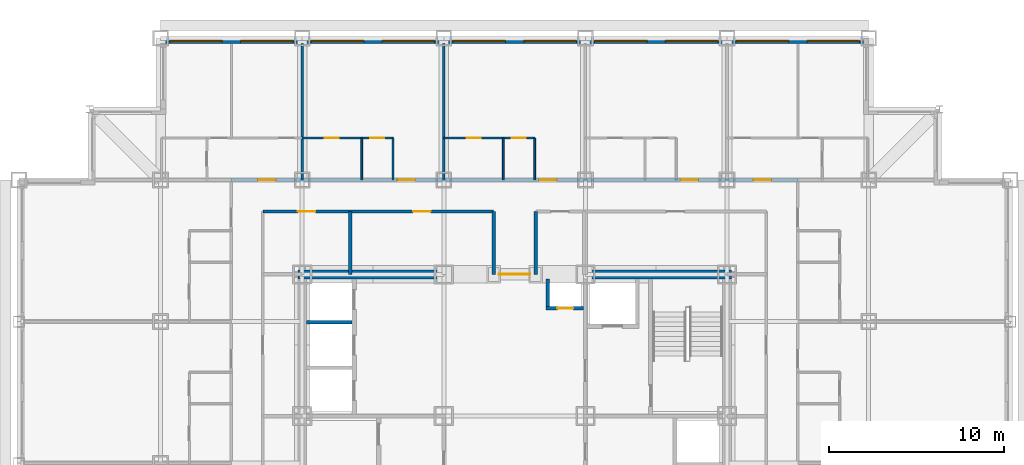
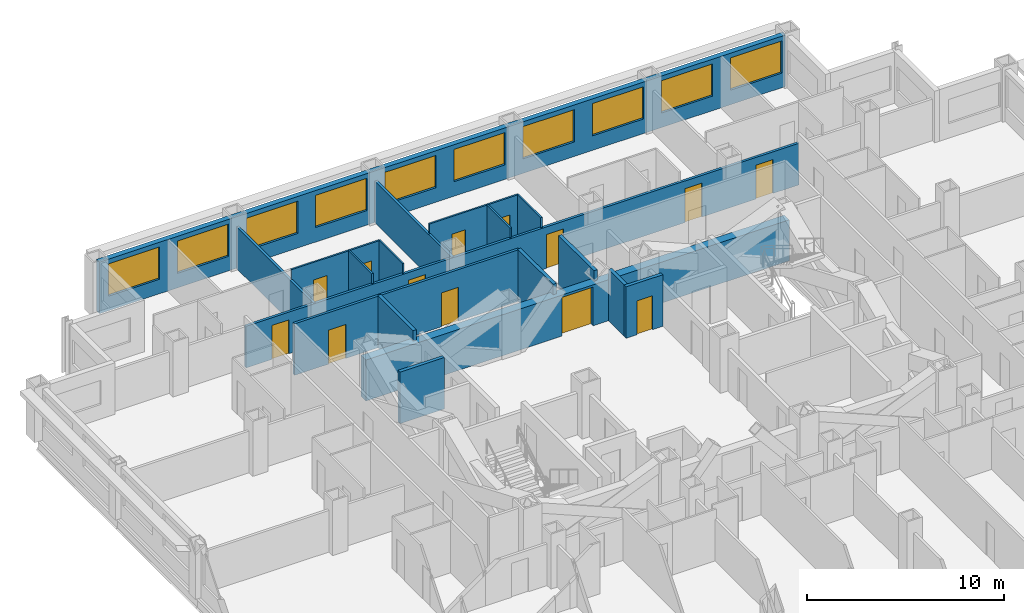
# One storey, part 9 of 12: 18 walls, 13 doors, 10 windows, 23 openings.
"""IFC4 building model written with IfcOpenShell, lengths in metres."""

from ifc_helpers import new_model, si_unit, direction, frame, frame_2d, origin, place, context, subcontext, project, spatial, rectangle, extrude, material, layer, layer_set, type_object, element, fill, save


model = new_model("IFC4")

# Units and contexts
model_context = context("Model", 3, precision=1e-05, world=origin(), true_north=direction((0.0, 1.0)))
body_context = subcontext(model_context, "Body", "Model", "MODEL_VIEW")
ifc_project = project(units=[si_unit("LENGTHUNIT", "METRE"), si_unit("AREAUNIT", "SQUARE_METRE"), si_unit("VOLUMEUNIT", "CUBIC_METRE"), si_unit("PLANEANGLEUNIT", "RADIAN"), si_unit("MASSUNIT", "GRAM", prefix="KILO")], contexts=[model_context])

# Site, building, storey
site_placement = place(None, origin())
site = spatial("IfcSite", under=ifc_project, at=site_placement, CompositionType="ELEMENT")
building_placement = place(site_placement, origin())
building = spatial("IfcBuilding", under=site, at=building_placement, Name="Kopane Lantern Tower", CompositionType="ELEMENT")
storey_placement = place(building_placement, frame((0.0, 0.0, 106.800048828125)))
storey = spatial("IfcBuildingStorey", under=building, at=storey_placement, Name="L26", CompositionType="ELEMENT", Elevation=106.800048828125)

# Wall, openings, doors
ifc_material_1 = material(Name="Moisture-resistant board on steel studs", Category="steel")
ifc_layer_1 = layer(ifc_material_1, 0.10009765625)
ifc_layer_set_1 = layer_set([ifc_layer_1], Name="BATHROOM WALL 100")
wall_type_1 = type_object("IfcWallType", Name="BATHROOM WALL 100", PredefinedType="PARTITIONING", material=ifc_layer_set_1)
wall_1_placement = place(storey_placement, frame((16.199951171875, 48.300048828125, 0.0), z_axis=(0.0, 0.0, 1.0), x_axis=(1.0, 0.0, 0.0)))
wall_1 = element("IfcWall", 1, at=wall_1_placement, inside=storey, type_object=wall_type_1, Name="Bathroom Wall 100 L26", PredefinedType="PARTITIONING", context=body_context, shape_type="SweptSolid", body=[
    extrude(rectangle(XDim=5.199951171875, YDim=0.10009765625, at=frame_2d((2.60009765625, 0.0))), origin(), (0.0, 0.0, 1.0), 3.18994140625),
])
opening_1_placement = place(wall_1_placement, frame((1.300048828125, 0.0, 0.0)))
opening_1 = element("IfcOpeningElement", 2, at=opening_1_placement, cuts=wall_1, Name="Opening L26-021", PredefinedType="OPENING", context=body_context, shape_type="SweptSolid", body=[
    extrude(rectangle(XDim=0.800048828125, YDim=2.10009765625, at=frame_2d((0.39990234375, 1.050048828125))), frame((0.0, 0.06005859375, 0.0), z_axis=(0.0, -1.0, 0.0), x_axis=(1.0, 0.0, 0.0)), (0.0, 0.0, 1.0), 0.1201171875),
])
opening_2_placement = place(wall_1_placement, frame((3.89990234375, 0.0, 0.0)))
opening_2 = element("IfcOpeningElement", 3, at=opening_2_placement, cuts=wall_1, Name="Opening L26-022", PredefinedType="OPENING", context=body_context, shape_type="SweptSolid", body=[
    extrude(rectangle(XDim=0.800048828125, YDim=2.10009765625, at=frame_2d((0.39990234375, 1.050048828125))), frame((0.0, 0.06005859375, 0.0), z_axis=(0.0, -1.0, 0.0), x_axis=(1.0, 0.0, 0.0)), (0.0, 0.0, 1.0), 0.1201171875),
])
ifc_material_2 = material(Name="Timber door set", Category="wood")
door_type_1 = type_object("IfcDoorType", Name="DOOR D2 800x2100", OperationType="SINGLE_SWING_LEFT", PredefinedType="DOOR", material=ifc_material_2)
door_1_placement = place(opening_1_placement, origin())
door_1 = element("IfcDoor", 4, at=door_1_placement, inside=storey, type_object=door_type_1, Name="Door L26-021", OperationType="SINGLE_SWING_LEFT", OverallHeight=2.10009765625, OverallWidth=0.800048828125, PredefinedType="DOOR", context=body_context, shape_type="SweptSolid", body=[
    extrude(rectangle(XDim=0.800048828125, YDim=2.10009765625, at=frame_2d((0.39990234375, 1.050048828125))), frame((0.0, 0.02490234375, 0.0), z_axis=(0.0, -1.0, 0.0), x_axis=(1.0, 0.0, 0.0)), (0.0, 0.0, 1.0), 0.050048828125),
])
fill(opening_1, door_1)
door_2_placement = place(opening_2_placement, origin())
door_2 = element("IfcDoor", 5, at=door_2_placement, inside=storey, type_object=door_type_1, Name="Door L26-022", OperationType="SINGLE_SWING_LEFT", OverallHeight=2.10009765625, OverallWidth=0.800048828125, PredefinedType="DOOR", context=body_context, shape_type="SweptSolid", body=[
    extrude(rectangle(XDim=0.800048828125, YDim=2.10009765625, at=frame_2d((0.39990234375, 1.050048828125))), frame((0.0, 0.02490234375, 0.0), z_axis=(0.0, -1.0, 0.0), x_axis=(1.0, 0.0, 0.0)), (0.0, 0.0, 1.0), 0.050048828125),
])
fill(opening_2, door_2)

# Walls
for number, where, z_axis, x_axis, name in (
    (6, (19.60009765625, 45.89990234375, 0.0), (0.0, 0.0, 1.0), (0.0, 1.0, 0.0), "Bathroom Wall 100 L26"),
    (7, (21.39990234375, 45.89990234375, 0.0), (0.0, 0.0, 1.0), (0.0, 1.0, 0.0), "Bathroom Wall 100 L26"),
):
    element("IfcWall", number, at=place(storey_placement, frame(where, z_axis=z_axis, x_axis=x_axis)), inside=storey, type_object=wall_type_1, Name=name, PredefinedType="PARTITIONING", context=body_context, shape_type="SweptSolid", body=[
        extrude(rectangle(XDim=2.400146484375, YDim=0.10009765625, at=frame_2d((1.2001953125, 0.0))), origin(), (0.0, 0.0, 1.0), 3.18994140625),
    ])

# Wall, openings, doors
wall_2_placement = place(storey_placement, frame((24.300048828125, 48.300048828125, 0.0), z_axis=(0.0, 0.0, 1.0), x_axis=(1.0, 0.0, 0.0)))
wall_2 = element("IfcWall", 8, at=wall_2_placement, inside=storey, type_object=wall_type_1, Name="Bathroom Wall 100 L26", PredefinedType="PARTITIONING", context=body_context, shape_type="SweptSolid", body=[
    extrude(rectangle(XDim=5.199951171875, YDim=0.10009765625, at=frame_2d((2.60009765625, 0.0))), origin(), (0.0, 0.0, 1.0), 3.18994140625),
])
opening_3_placement = place(wall_2_placement, frame((1.300048828125, 0.0, 0.0)))
opening_3 = element("IfcOpeningElement", 9, at=opening_3_placement, cuts=wall_2, Name="Opening L26-024", PredefinedType="OPENING", context=body_context, shape_type="SweptSolid", body=[
    extrude(rectangle(XDim=0.800048828125, YDim=2.10009765625, at=frame_2d((0.39990234375, 1.050048828125))), frame((0.0, 0.06005859375, 0.0), z_axis=(0.0, -1.0, 0.0), x_axis=(1.0, 0.0, 0.0)), (0.0, 0.0, 1.0), 0.1201171875),
])
opening_4_placement = place(wall_2_placement, frame((3.89990234375, 0.0, 0.0)))
opening_4 = element("IfcOpeningElement", 10, at=opening_4_placement, cuts=wall_2, Name="Opening L26-025", PredefinedType="OPENING", context=body_context, shape_type="SweptSolid", body=[
    extrude(rectangle(XDim=0.800048828125, YDim=2.10009765625, at=frame_2d((0.39990234375, 1.050048828125))), frame((0.0, 0.06005859375, 0.0), z_axis=(0.0, -1.0, 0.0), x_axis=(1.0, 0.0, 0.0)), (0.0, 0.0, 1.0), 0.1201171875),
])
door_3_placement = place(opening_3_placement, origin())
door_3 = element("IfcDoor", 11, at=door_3_placement, inside=storey, type_object=door_type_1, Name="Door L26-024", OperationType="SINGLE_SWING_LEFT", OverallHeight=2.10009765625, OverallWidth=0.800048828125, PredefinedType="DOOR", context=body_context, shape_type="SweptSolid", body=[
    extrude(rectangle(XDim=0.800048828125, YDim=2.10009765625, at=frame_2d((0.39990234375, 1.050048828125))), frame((0.0, 0.02490234375, 0.0), z_axis=(0.0, -1.0, 0.0), x_axis=(1.0, 0.0, 0.0)), (0.0, 0.0, 1.0), 0.050048828125),
])
fill(opening_3, door_3)
door_4_placement = place(opening_4_placement, origin())
door_4 = element("IfcDoor", 12, at=door_4_placement, inside=storey, type_object=door_type_1, Name="Door L26-025", OperationType="SINGLE_SWING_LEFT", OverallHeight=2.10009765625, OverallWidth=0.800048828125, PredefinedType="DOOR", context=body_context, shape_type="SweptSolid", body=[
    extrude(rectangle(XDim=0.800048828125, YDim=2.10009765625, at=frame_2d((0.39990234375, 1.050048828125))), frame((0.0, 0.02490234375, 0.0), z_axis=(0.0, -1.0, 0.0), x_axis=(1.0, 0.0, 0.0)), (0.0, 0.0, 1.0), 0.050048828125),
])
fill(opening_4, door_4)

# Walls
for number, where, z_axis, x_axis, name in (
    (13, (27.699951171875, 45.89990234375, 0.0), (0.0, 0.0, 1.0), (0.0, 1.0, 0.0), "Bathroom Wall 100 L26"),
    (14, (29.5, 45.89990234375, 0.0), (0.0, 0.0, 1.0), (0.0, 1.0, 0.0), "Bathroom Wall 100 L26"),
):
    element("IfcWall", number, at=place(storey_placement, frame(where, z_axis=z_axis, x_axis=x_axis)), inside=storey, type_object=wall_type_1, Name=name, PredefinedType="PARTITIONING", context=body_context, shape_type="SweptSolid", body=[
        extrude(rectangle(XDim=2.400146484375, YDim=0.10009765625, at=frame_2d((1.2001953125, 0.0))), origin(), (0.0, 0.0, 1.0), 3.18994140625),
    ])

# Wall, opening, door
ifc_material_3 = material(Name="Gypsum shaft wall EI 120", Category="gypsum")
ifc_layer_2 = layer(ifc_material_3, 0.5)
ifc_layer_set_2 = layer_set([ifc_layer_2], Name="CORE PERIMETER WALL 500 EI 120")
wall_type_2 = type_object("IfcWallType", Name="CORE PERIMETER WALL 500 EI 120", PredefinedType="SOLIDWALL", material=ifc_layer_set_2)
wall_3_placement = place(storey_placement, frame((15.949951171875, 40.5, 0.0), z_axis=(0.0, 0.0, 1.0), x_axis=(1.0, 0.0, 0.0)))
wall_3 = element("IfcWall", 15, at=wall_3_placement, inside=storey, type_object=wall_type_2, Name="Core shaft wall L26 PN", PredefinedType="SOLIDWALL", context=body_context, shape_type="SweptSolid", body=[
    extrude(rectangle(XDim=24.800048828125, YDim=0.5, at=frame_2d((12.39990234375, 0.0))), origin(), (0.0, 0.0, 1.0), 2.5400390625),
])
opening_5_placement = place(wall_3_placement, frame((11.5, 0.0, 0.0)))
opening_5 = element("IfcOpeningElement", 16, at=opening_5_placement, cuts=wall_3, Name="Opening 26.CE-N", PredefinedType="OPENING", context=body_context, shape_type="SweptSolid", body=[
    extrude(rectangle(XDim=1.800048828125, YDim=2.39990234375, at=frame_2d((0.89990234375, 1.199951171875))), frame((0.0, 0.260009765625, 0.0), z_axis=(0.0, -1.0, 0.0), x_axis=(1.0, 0.0, 0.0)), (0.0, 0.0, 1.0), 0.52001953125),
])
ifc_material_4 = material(Name="Steel door set", Category="steel")
door_type_2 = type_object("IfcDoorType", Name="CORE ENTRY DOOR 1800x2400 FD60S", OperationType="DOUBLE_DOOR_SINGLE_SWING", PredefinedType="DOOR", material=ifc_material_4)
door_5_placement = place(opening_5_placement, origin())
door_5 = element("IfcDoor", 17, at=door_5_placement, inside=storey, type_object=door_type_2, Name="Core entry door L26 north", OperationType="DOUBLE_DOOR_SINGLE_SWING", OverallHeight=2.39990234375, OverallWidth=1.800048828125, PredefinedType="DOOR", context=body_context, shape_type="SweptSolid", body=[
    extrude(rectangle(XDim=1.800048828125, YDim=2.39990234375, at=frame_2d((0.89990234375, 1.199951171875))), frame((0.0, 0.02490234375, 0.0), z_axis=(0.0, -1.0, 0.0), x_axis=(1.0, 0.0, 0.0)), (0.0, 0.0, 1.0), 0.050048828125),
])
fill(opening_5, door_5)

# Wall, openings, doors
ifc_material_5 = material(Name="Gypsum board on steel studs", Category="steel")
ifc_layer_3 = layer(ifc_material_5, 0.14990234375)
ifc_layer_set_3 = layer_set([ifc_layer_3], Name="CORRIDOR WALL 150 EI 60")
wall_type_3 = type_object("IfcWallType", Name="CORRIDOR WALL 150 EI 60", PredefinedType="PARTITIONING", material=ifc_layer_set_3)
wall_4_placement = place(storey_placement, frame((12.14990234375, 45.89990234375, 0.0), z_axis=(0.0, 0.0, 1.0), x_axis=(1.0, 0.0, 0.0)))
wall_4 = element("IfcWall", 18, at=wall_4_placement, inside=storey, type_object=wall_type_3, Name="Corridor Wall 150 Ei 60 L26", PredefinedType="PARTITIONING", context=body_context, shape_type="SweptSolid", body=[
    extrude(rectangle(XDim=32.400146484375, YDim=0.14990234375, at=frame_2d((16.2001953125, 0.0))), origin(), (0.0, 0.0, 1.0), 2.57763671875),
])
opening_6_placement = place(wall_4_placement, frame((9.5, 0.0, 0.0)))
opening_6 = element("IfcOpeningElement", 19, at=opening_6_placement, cuts=wall_4, Name="Opening L26-023", PredefinedType="OPENING", context=body_context, shape_type="SweptSolid", body=[
    extrude(rectangle(XDim=1.0, YDim=2.10009765625, at=frame_2d((0.5, 1.050048828125))), frame((0.0, 0.0849609375, 0.0), z_axis=(0.0, -1.0, 0.0), x_axis=(1.0, 0.0, 0.0)), (0.0, 0.0, 1.0), 0.169921875),
])
opening_7_placement = place(wall_4_placement, frame((17.60009765625, 0.0, 0.0)))
opening_7 = element("IfcOpeningElement", 20, at=opening_7_placement, cuts=wall_4, Name="Opening L26-026", PredefinedType="OPENING", context=body_context, shape_type="SweptSolid", body=[
    extrude(rectangle(XDim=1.0, YDim=2.10009765625, at=frame_2d((0.5, 1.050048828125))), frame((0.0, 0.0849609375, 0.0), z_axis=(0.0, -1.0, 0.0), x_axis=(1.0, 0.0, 0.0)), (0.0, 0.0, 1.0), 0.169921875),
])
opening_8_placement = place(wall_4_placement, frame((25.699951171875, 0.0, 0.0)))
opening_8 = element("IfcOpeningElement", 21, at=opening_8_placement, cuts=wall_4, Name="Opening L26-029", PredefinedType="OPENING", context=body_context, shape_type="SweptSolid", body=[
    extrude(rectangle(XDim=1.0, YDim=2.10009765625, at=frame_2d((0.5, 1.050048828125))), frame((0.0, 0.0849609375, 0.0), z_axis=(0.0, -1.0, 0.0), x_axis=(1.0, 0.0, 0.0)), (0.0, 0.0, 1.0), 0.169921875),
])
opening_9_placement = place(wall_4_placement, frame((29.875, 0.0, 0.0)))
opening_9 = element("IfcOpeningElement", 22, at=opening_9_placement, cuts=wall_4, Name="Opening L26-059", PredefinedType="OPENING", context=body_context, shape_type="SweptSolid", body=[
    extrude(rectangle(XDim=1.0, YDim=2.10009765625, at=frame_2d((0.5, 1.050048828125))), frame((0.0, 0.0849609375, 0.0), z_axis=(0.0, -1.0, 0.0), x_axis=(1.0, 0.0, 0.0)), (0.0, 0.0, 1.0), 0.169921875),
])
opening_10_placement = place(wall_4_placement, frame((1.52490234375, 0.0, 0.0)))
opening_10 = element("IfcOpeningElement", 23, at=opening_10_placement, cuts=wall_4, Name="Opening L26-063", PredefinedType="OPENING", context=body_context, shape_type="SweptSolid", body=[
    extrude(rectangle(XDim=1.0, YDim=2.10009765625, at=frame_2d((0.5, 1.050048828125))), frame((0.0, 0.0849609375, 0.0), z_axis=(0.0, -1.0, 0.0), x_axis=(1.0, 0.0, 0.0)), (0.0, 0.0, 1.0), 0.169921875),
])
ifc_material_6 = material(Name="Steel door set", Category="steel")
door_type_3 = type_object("IfcDoorType", Name="DOOR D1 1000x2100 FD30S", OperationType="SINGLE_SWING_LEFT", PredefinedType="DOOR", material=ifc_material_6)
door_6_placement = place(opening_6_placement, origin())
door_6 = element("IfcDoor", 24, at=door_6_placement, inside=storey, type_object=door_type_3, Name="Door L26-023", OperationType="SINGLE_SWING_LEFT", OverallHeight=2.10009765625, OverallWidth=1.0, PredefinedType="DOOR", context=body_context, shape_type="SweptSolid", body=[
    extrude(rectangle(XDim=1.0, YDim=2.10009765625, at=frame_2d((0.5, 1.050048828125))), frame((0.0, 0.02490234375, 0.0), z_axis=(0.0, -1.0, 0.0), x_axis=(1.0, 0.0, 0.0)), (0.0, 0.0, 1.0), 0.050048828125),
])
fill(opening_6, door_6)
door_7_placement = place(opening_7_placement, origin())
door_7 = element("IfcDoor", 25, at=door_7_placement, inside=storey, type_object=door_type_3, Name="Door L26-026", OperationType="SINGLE_SWING_LEFT", OverallHeight=2.10009765625, OverallWidth=1.0, PredefinedType="DOOR", context=body_context, shape_type="SweptSolid", body=[
    extrude(rectangle(XDim=1.0, YDim=2.10009765625, at=frame_2d((0.5, 1.050048828125))), frame((0.0, 0.02490234375, 0.0), z_axis=(0.0, -1.0, 0.0), x_axis=(1.0, 0.0, 0.0)), (0.0, 0.0, 1.0), 0.050048828125),
])
fill(opening_7, door_7)
door_8_placement = place(opening_8_placement, origin())
door_8 = element("IfcDoor", 26, at=door_8_placement, inside=storey, type_object=door_type_3, Name="Door L26-029", OperationType="SINGLE_SWING_LEFT", OverallHeight=2.10009765625, OverallWidth=1.0, PredefinedType="DOOR", context=body_context, shape_type="SweptSolid", body=[
    extrude(rectangle(XDim=1.0, YDim=2.10009765625, at=frame_2d((0.5, 1.050048828125))), frame((0.0, 0.02490234375, 0.0), z_axis=(0.0, -1.0, 0.0), x_axis=(1.0, 0.0, 0.0)), (0.0, 0.0, 1.0), 0.050048828125),
])
fill(opening_8, door_8)
door_9_placement = place(opening_9_placement, origin())
door_9 = element("IfcDoor", 27, at=door_9_placement, inside=storey, type_object=door_type_3, Name="Door L26-059", OperationType="SINGLE_SWING_LEFT", OverallHeight=2.10009765625, OverallWidth=1.0, PredefinedType="DOOR", context=body_context, shape_type="SweptSolid", body=[
    extrude(rectangle(XDim=1.0, YDim=2.10009765625, at=frame_2d((0.5, 1.050048828125))), frame((0.0, 0.02490234375, 0.0), z_axis=(0.0, -1.0, 0.0), x_axis=(1.0, 0.0, 0.0)), (0.0, 0.0, 1.0), 0.050048828125),
])
fill(opening_9, door_9)
door_10_placement = place(opening_10_placement, origin())
door_10 = element("IfcDoor", 28, at=door_10_placement, inside=storey, type_object=door_type_3, Name="Door L26-063", OperationType="SINGLE_SWING_RIGHT", OverallHeight=2.10009765625, OverallWidth=1.0, PredefinedType="DOOR", context=body_context, shape_type="SweptSolid", body=[
    extrude(rectangle(XDim=1.0, YDim=2.10009765625, at=frame_2d((0.5, 1.050048828125))), frame((0.0, 0.02490234375, 0.0), z_axis=(0.0, -1.0, 0.0), x_axis=(1.0, 0.0, 0.0)), (0.0, 0.0, 1.0), 0.050048828125),
])
fill(opening_10, door_10)

wall_5_placement = place(storey_placement, frame((27.139892578125, 44.10009765625, 0.0), z_axis=(0.0, 0.0, 1.0), x_axis=(-1.0, 0.0, 0.0)))
wall_5 = element("IfcWall", 29, at=wall_5_placement, inside=storey, type_object=wall_type_3, Name="Corridor Wall 150 Ei 60 L26", PredefinedType="PARTITIONING", context=body_context, shape_type="SweptSolid", body=[
    extrude(rectangle(XDim=13.18994140625, YDim=0.14990234375, at=frame_2d((6.594970703125, 0.0))), origin(), (0.0, 0.0, 1.0), 3.18994140625),
])
opening_11_placement = place(wall_5_placement, frame((10.18994140625, 0.0, 0.0)))
opening_11 = element("IfcOpeningElement", 30, at=opening_11_placement, cuts=wall_5, Name="Opening L26-005", PredefinedType="OPENING", context=body_context, shape_type="SweptSolid", body=[
    extrude(rectangle(XDim=1.0, YDim=2.10009765625, at=frame_2d((0.5, 1.050048828125))), frame((0.0, 0.0849609375, 0.0), z_axis=(0.0, -1.0, 0.0), x_axis=(1.0, 0.0, 0.0)), (0.0, 0.0, 1.0), 0.169921875),
])
opening_12_placement = place(wall_5_placement, frame((3.590087890625, 0.0, 0.0)))
opening_12 = element("IfcOpeningElement", 31, at=opening_12_placement, cuts=wall_5, Name="Opening L26-006", PredefinedType="OPENING", context=body_context, shape_type="SweptSolid", body=[
    extrude(rectangle(XDim=1.0, YDim=2.10009765625, at=frame_2d((0.5, 1.050048828125))), frame((0.0, 0.0849609375, 0.0), z_axis=(0.0, -1.0, 0.0), x_axis=(1.0, 0.0, 0.0)), (0.0, 0.0, 1.0), 0.169921875),
])
ifc_material_7 = material(Name="Steel door set", Category="steel")
door_type_4 = type_object("IfcDoorType", Name="DOOR D5 1000x2100 FD60", OperationType="SINGLE_SWING_LEFT", PredefinedType="DOOR", material=ifc_material_7)
door_11_placement = place(opening_11_placement, origin())
door_11 = element("IfcDoor", 32, at=door_11_placement, inside=storey, type_object=door_type_4, Name="Door L26-005", OperationType="SINGLE_SWING_RIGHT", OverallHeight=2.10009765625, OverallWidth=1.0, PredefinedType="DOOR", context=body_context, shape_type="SweptSolid", body=[
    extrude(rectangle(XDim=1.0, YDim=2.10009765625, at=frame_2d((0.5, 1.050048828125))), frame((0.0, 0.02490234375, 0.0), z_axis=(0.0, -1.0, 0.0), x_axis=(1.0, 0.0, 0.0)), (0.0, 0.0, 1.0), 0.050048828125),
])
fill(opening_11, door_11)
door_12_placement = place(opening_12_placement, origin())
door_12 = element("IfcDoor", 33, at=door_12_placement, inside=storey, type_object=door_type_4, Name="Door L26-006", OperationType="SINGLE_SWING_LEFT", OverallHeight=2.10009765625, OverallWidth=1.0, PredefinedType="DOOR", context=body_context, shape_type="SweptSolid", body=[
    extrude(rectangle(XDim=1.0, YDim=2.10009765625, at=frame_2d((0.5, 1.050048828125))), frame((0.0, 0.02490234375, 0.0), z_axis=(0.0, -1.0, 0.0), x_axis=(1.0, 0.0, 0.0)), (0.0, 0.0, 1.0), 0.050048828125),
])
fill(opening_12, door_12)

# Walls
ifc_material_8 = material(Name="Gypsum board on steel studs", Category="steel")
ifc_layer_4 = layer(ifc_material_8, 0.14990234375)
ifc_layer_set_4 = layer_set([ifc_layer_4], Name="DEMISING WALL 150 EI 60")
wall_type_4 = type_object("IfcWallType", Name="DEMISING WALL 150 EI 60", PredefinedType="PARTITIONING", material=ifc_layer_set_4)
for number, where, z_axis, x_axis, name in (
    (34, (24.300048828125, 45.89990234375, 0.0), (0.0, 0.0, 1.0), (0.0, 1.0, 0.0), "Demising Wall 150 Ei 60 L26"),
    (35, (16.199951171875, 45.89990234375, 0.0), (0.0, 0.0, 1.0), (0.0, 1.0, 0.0), "Demising Wall 150 Ei 60 L26"),
):
    element("IfcWall", number, at=place(storey_placement, frame(where, z_axis=z_axis, x_axis=x_axis)), inside=storey, type_object=wall_type_4, Name=name, PredefinedType="PARTITIONING", context=body_context, shape_type="SweptSolid", body=[
        extrude(rectangle(XDim=7.800048828125, YDim=0.14990234375, at=frame_2d((3.89990234375, 0.0))), origin(), (0.0, 0.0, 1.0), 2.57763671875),
    ])

# Wall, openings, windows
ifc_material_9 = material(Name="Terracotta rainscreen on light steel framing", Category="masonry")
ifc_layer_5 = layer(ifc_material_9, 0.300048828125)
ifc_layer_set_5 = layer_set([ifc_layer_5], Name="EXTERNAL WALL EW1 300 TERRACOTTA")
wall_type_5 = type_object("IfcWallType", Name="EXTERNAL WALL EW1 300 TERRACOTTA", PredefinedType="SOLIDWALL", material=ifc_layer_set_5)
wall_6_placement = place(storey_placement, frame((48.300048828125, 53.85009765625, 0.0), z_axis=(0.0, 0.0, 1.0), x_axis=(-1.0, 0.0, 0.0)))
wall_6 = element("IfcWall", 36, at=wall_6_placement, inside=storey, type_object=wall_type_5, Name="External wall N L26", PredefinedType="SOLIDWALL", context=body_context, shape_type="SweptSolid", body=[
    extrude(rectangle(XDim=40.199951171875, YDim=0.300048828125, at=frame_2d((20.10009765625, 0.0))), origin(), (0.0, 0.0, 1.0), 3.18994140625),
])
opening_13_placement = place(wall_6_placement, frame((0.22509765625, 0.0, 0.89990234375)))
opening_13 = element("IfcOpeningElement", 37, at=opening_13_placement, cuts=wall_6, Name="Opening WR300200", PredefinedType="OPENING", context=body_context, shape_type="SweptSolid", body=[
    extrude(rectangle(XDim=3.0, YDim=2.0, at=frame_2d((1.5, 1.0))), frame((0.0, 0.159912109375, 0.0), z_axis=(0.0, -1.0, 0.0), x_axis=(1.0, 0.0, 0.0)), (0.0, 0.0, 1.0), 0.320068359375),
])
opening_14_placement = place(wall_6_placement, frame((4.27490234375, 0.0, 0.89990234375)))
opening_14 = element("IfcOpeningElement", 38, at=opening_14_placement, cuts=wall_6, Name="Opening WR300200", PredefinedType="OPENING", context=body_context, shape_type="SweptSolid", body=[
    extrude(rectangle(XDim=3.0, YDim=2.0, at=frame_2d((1.5, 1.0))), frame((0.0, 0.159912109375, 0.0), z_axis=(0.0, -1.0, 0.0), x_axis=(1.0, 0.0, 0.0)), (0.0, 0.0, 1.0), 0.320068359375),
])
opening_15_placement = place(wall_6_placement, frame((8.324951171875, 0.0, 0.89990234375)))
opening_15 = element("IfcOpeningElement", 39, at=opening_15_placement, cuts=wall_6, Name="Opening WR300200", PredefinedType="OPENING", context=body_context, shape_type="SweptSolid", body=[
    extrude(rectangle(XDim=3.0, YDim=2.0, at=frame_2d((1.5, 1.0))), frame((0.0, 0.159912109375, 0.0), z_axis=(0.0, -1.0, 0.0), x_axis=(1.0, 0.0, 0.0)), (0.0, 0.0, 1.0), 0.320068359375),
])
opening_16_placement = place(wall_6_placement, frame((12.375, 0.0, 0.89990234375)))
opening_16 = element("IfcOpeningElement", 40, at=opening_16_placement, cuts=wall_6, Name="Opening WR300200", PredefinedType="OPENING", context=body_context, shape_type="SweptSolid", body=[
    extrude(rectangle(XDim=3.0, YDim=2.0, at=frame_2d((1.5, 1.0))), frame((0.0, 0.159912109375, 0.0), z_axis=(0.0, -1.0, 0.0), x_axis=(1.0, 0.0, 0.0)), (0.0, 0.0, 1.0), 0.320068359375),
])
opening_17_placement = place(wall_6_placement, frame((16.425048828125, 0.0, 0.89990234375)))
opening_17 = element("IfcOpeningElement", 41, at=opening_17_placement, cuts=wall_6, Name="Opening WR300200", PredefinedType="OPENING", context=body_context, shape_type="SweptSolid", body=[
    extrude(rectangle(XDim=3.0, YDim=2.0, at=frame_2d((1.5, 1.0))), frame((0.0, 0.159912109375, 0.0), z_axis=(0.0, -1.0, 0.0), x_axis=(1.0, 0.0, 0.0)), (0.0, 0.0, 1.0), 0.320068359375),
])
opening_18_placement = place(wall_6_placement, frame((20.47509765625, 0.0, 0.89990234375)))
opening_18 = element("IfcOpeningElement", 42, at=opening_18_placement, cuts=wall_6, Name="Opening WR300200", PredefinedType="OPENING", context=body_context, shape_type="SweptSolid", body=[
    extrude(rectangle(XDim=3.0, YDim=2.0, at=frame_2d((1.5, 1.0))), frame((0.0, 0.159912109375, 0.0), z_axis=(0.0, -1.0, 0.0), x_axis=(1.0, 0.0, 0.0)), (0.0, 0.0, 1.0), 0.320068359375),
])
opening_19_placement = place(wall_6_placement, frame((24.52490234375, 0.0, 0.89990234375)))
opening_19 = element("IfcOpeningElement", 43, at=opening_19_placement, cuts=wall_6, Name="Opening WR300200", PredefinedType="OPENING", context=body_context, shape_type="SweptSolid", body=[
    extrude(rectangle(XDim=3.0, YDim=2.0, at=frame_2d((1.5, 1.0))), frame((0.0, 0.159912109375, 0.0), z_axis=(0.0, -1.0, 0.0), x_axis=(1.0, 0.0, 0.0)), (0.0, 0.0, 1.0), 0.320068359375),
])
opening_20_placement = place(wall_6_placement, frame((28.574951171875, 0.0, 0.89990234375)))
opening_20 = element("IfcOpeningElement", 44, at=opening_20_placement, cuts=wall_6, Name="Opening WR300200", PredefinedType="OPENING", context=body_context, shape_type="SweptSolid", body=[
    extrude(rectangle(XDim=3.0, YDim=2.0, at=frame_2d((1.5, 1.0))), frame((0.0, 0.159912109375, 0.0), z_axis=(0.0, -1.0, 0.0), x_axis=(1.0, 0.0, 0.0)), (0.0, 0.0, 1.0), 0.320068359375),
])
opening_21_placement = place(wall_6_placement, frame((32.625, 0.0, 0.89990234375)))
opening_21 = element("IfcOpeningElement", 45, at=opening_21_placement, cuts=wall_6, Name="Opening WR300200", PredefinedType="OPENING", context=body_context, shape_type="SweptSolid", body=[
    extrude(rectangle(XDim=3.0, YDim=2.0, at=frame_2d((1.5, 1.0))), frame((0.0, 0.159912109375, 0.0), z_axis=(0.0, -1.0, 0.0), x_axis=(1.0, 0.0, 0.0)), (0.0, 0.0, 1.0), 0.320068359375),
])
opening_22_placement = place(wall_6_placement, frame((36.675048828125, 0.0, 0.89990234375)))
opening_22 = element("IfcOpeningElement", 46, at=opening_22_placement, cuts=wall_6, Name="Opening WR300200", PredefinedType="OPENING", context=body_context, shape_type="SweptSolid", body=[
    extrude(rectangle(XDim=3.0, YDim=2.0, at=frame_2d((1.5, 1.0))), frame((0.0, 0.159912109375, 0.0), z_axis=(0.0, -1.0, 0.0), x_axis=(1.0, 0.0, 0.0)), (0.0, 0.0, 1.0), 0.320068359375),
])
ifc_material_10 = material(Name="Aluminium and clear glass", Category="aluminium")
window_type = type_object("IfcWindowType", Name="RIBBON WINDOW WR300200 3000x2000", PartitioningType="SINGLE_PANEL", PredefinedType="WINDOW", material=ifc_material_10)
window_1_placement = place(opening_13_placement, origin())
window_1 = element("IfcWindow", 47, at=window_1_placement, inside=storey, type_object=window_type, Name="Window N L26", OverallHeight=2.0, OverallWidth=3.0, PartitioningType="SINGLE_PANEL", PredefinedType="WINDOW", context=body_context, shape_type="SweptSolid", body=[
    extrude(rectangle(XDim=3.0, YDim=2.0, at=frame_2d((1.5, 1.0))), frame((0.0, 0.030029296875, 0.0), z_axis=(0.0, -1.0, 0.0), x_axis=(1.0, 0.0, 0.0)), (0.0, 0.0, 1.0), 0.06005859375),
])
fill(opening_13, window_1)
window_2_placement = place(opening_14_placement, origin())
window_2 = element("IfcWindow", 48, at=window_2_placement, inside=storey, type_object=window_type, Name="Window N L26", OverallHeight=2.0, OverallWidth=3.0, PartitioningType="SINGLE_PANEL", PredefinedType="WINDOW", context=body_context, shape_type="SweptSolid", body=[
    extrude(rectangle(XDim=3.0, YDim=2.0, at=frame_2d((1.5, 1.0))), frame((0.0, 0.030029296875, 0.0), z_axis=(0.0, -1.0, 0.0), x_axis=(1.0, 0.0, 0.0)), (0.0, 0.0, 1.0), 0.06005859375),
])
fill(opening_14, window_2)
window_3_placement = place(opening_15_placement, origin())
window_3 = element("IfcWindow", 49, at=window_3_placement, inside=storey, type_object=window_type, Name="Window N L26", OverallHeight=2.0, OverallWidth=3.0, PartitioningType="SINGLE_PANEL", PredefinedType="WINDOW", context=body_context, shape_type="SweptSolid", body=[
    extrude(rectangle(XDim=3.0, YDim=2.0, at=frame_2d((1.5, 1.0))), frame((0.0, 0.030029296875, 0.0), z_axis=(0.0, -1.0, 0.0), x_axis=(1.0, 0.0, 0.0)), (0.0, 0.0, 1.0), 0.06005859375),
])
fill(opening_15, window_3)
window_4_placement = place(opening_16_placement, origin())
window_4 = element("IfcWindow", 50, at=window_4_placement, inside=storey, type_object=window_type, Name="Window N L26", OverallHeight=2.0, OverallWidth=3.0, PartitioningType="SINGLE_PANEL", PredefinedType="WINDOW", context=body_context, shape_type="SweptSolid", body=[
    extrude(rectangle(XDim=3.0, YDim=2.0, at=frame_2d((1.5, 1.0))), frame((0.0, 0.030029296875, 0.0), z_axis=(0.0, -1.0, 0.0), x_axis=(1.0, 0.0, 0.0)), (0.0, 0.0, 1.0), 0.06005859375),
])
fill(opening_16, window_4)
window_5_placement = place(opening_17_placement, origin())
window_5 = element("IfcWindow", 51, at=window_5_placement, inside=storey, type_object=window_type, Name="Window N L26", OverallHeight=2.0, OverallWidth=3.0, PartitioningType="SINGLE_PANEL", PredefinedType="WINDOW", context=body_context, shape_type="SweptSolid", body=[
    extrude(rectangle(XDim=3.0, YDim=2.0, at=frame_2d((1.5, 1.0))), frame((0.0, 0.030029296875, 0.0), z_axis=(0.0, -1.0, 0.0), x_axis=(1.0, 0.0, 0.0)), (0.0, 0.0, 1.0), 0.06005859375),
])
fill(opening_17, window_5)
window_6_placement = place(opening_18_placement, origin())
window_6 = element("IfcWindow", 52, at=window_6_placement, inside=storey, type_object=window_type, Name="Window N L26", OverallHeight=2.0, OverallWidth=3.0, PartitioningType="SINGLE_PANEL", PredefinedType="WINDOW", context=body_context, shape_type="SweptSolid", body=[
    extrude(rectangle(XDim=3.0, YDim=2.0, at=frame_2d((1.5, 1.0))), frame((0.0, 0.030029296875, 0.0), z_axis=(0.0, -1.0, 0.0), x_axis=(1.0, 0.0, 0.0)), (0.0, 0.0, 1.0), 0.06005859375),
])
fill(opening_18, window_6)
window_7_placement = place(opening_19_placement, origin())
window_7 = element("IfcWindow", 53, at=window_7_placement, inside=storey, type_object=window_type, Name="Window N L26", OverallHeight=2.0, OverallWidth=3.0, PartitioningType="SINGLE_PANEL", PredefinedType="WINDOW", context=body_context, shape_type="SweptSolid", body=[
    extrude(rectangle(XDim=3.0, YDim=2.0, at=frame_2d((1.5, 1.0))), frame((0.0, 0.030029296875, 0.0), z_axis=(0.0, -1.0, 0.0), x_axis=(1.0, 0.0, 0.0)), (0.0, 0.0, 1.0), 0.06005859375),
])
fill(opening_19, window_7)
window_8_placement = place(opening_20_placement, origin())
window_8 = element("IfcWindow", 54, at=window_8_placement, inside=storey, type_object=window_type, Name="Window N L26", OverallHeight=2.0, OverallWidth=3.0, PartitioningType="SINGLE_PANEL", PredefinedType="WINDOW", context=body_context, shape_type="SweptSolid", body=[
    extrude(rectangle(XDim=3.0, YDim=2.0, at=frame_2d((1.5, 1.0))), frame((0.0, 0.030029296875, 0.0), z_axis=(0.0, -1.0, 0.0), x_axis=(1.0, 0.0, 0.0)), (0.0, 0.0, 1.0), 0.06005859375),
])
fill(opening_20, window_8)
window_9_placement = place(opening_21_placement, origin())
window_9 = element("IfcWindow", 55, at=window_9_placement, inside=storey, type_object=window_type, Name="Window N L26", OverallHeight=2.0, OverallWidth=3.0, PartitioningType="SINGLE_PANEL", PredefinedType="WINDOW", context=body_context, shape_type="SweptSolid", body=[
    extrude(rectangle(XDim=3.0, YDim=2.0, at=frame_2d((1.5, 1.0))), frame((0.0, 0.030029296875, 0.0), z_axis=(0.0, -1.0, 0.0), x_axis=(1.0, 0.0, 0.0)), (0.0, 0.0, 1.0), 0.06005859375),
])
fill(opening_21, window_9)
window_10_placement = place(opening_22_placement, origin())
window_10 = element("IfcWindow", 56, at=window_10_placement, inside=storey, type_object=window_type, Name="Window N L26", OverallHeight=2.0, OverallWidth=3.0, PartitioningType="SINGLE_PANEL", PredefinedType="WINDOW", context=body_context, shape_type="SweptSolid", body=[
    extrude(rectangle(XDim=3.0, YDim=2.0, at=frame_2d((1.5, 1.0))), frame((0.0, 0.030029296875, 0.0), z_axis=(0.0, -1.0, 0.0), x_axis=(1.0, 0.0, 0.0)), (0.0, 0.0, 1.0), 0.06005859375),
])
fill(opening_22, window_10)

# Walls
ifc_material_11 = material(Name="Concrete masonry", Category="masonry")
ifc_layer_6 = layer(ifc_material_11, 0.199951171875)
ifc_layer_set_6 = layer_set([ifc_layer_6], Name="PLANT ROOM WALL 200 EI 120")
wall_type_6 = type_object("IfcWallType", Name="PLANT ROOM WALL 200 EI 120", PredefinedType="SOLIDWALL", material=ifc_layer_set_6)
for number, where, z_axis, x_axis, name in (
    (57, (18.949951171875, 44.10009765625, 0.0), (0.0, 0.0, 1.0), (0.0, -1.0, 0.0), "Plant Room Wall 200 Ei 120 L26"),
    (58, (27.14990234375, 40.5, 0.0), (0.0, 0.0, 1.0), (0.0, 1.0, 0.0), "Plant Room Wall 200 Ei 120 L26"),
    (59, (29.550048828125, 40.5, 0.0), (0.0, 0.0, 1.0), (0.0, 1.0, 0.0), "Plant Room Wall 200 Ei 120 L26"),
):
    element("IfcWall", number, at=place(storey_placement, frame(where, z_axis=z_axis, x_axis=x_axis)), inside=storey, type_object=wall_type_6, Name=name, PredefinedType="SOLIDWALL", context=body_context, shape_type="SweptSolid", body=[
        extrude(rectangle(XDim=3.60009765625, YDim=0.199951171875, at=frame_2d((1.800048828125, 0.0))), origin(), (0.0, 0.0, 1.0), 3.18994140625),
    ])
ifc_material_12 = material(Name="Gypsum shaft wall EI 120", Category="gypsum")
ifc_layer_7 = layer(ifc_material_12, 0.199951171875)
ifc_layer_set_7 = layer_set([ifc_layer_7], Name="SHAFT WALL 200 EI 120")
wall_type_7 = type_object("IfcWallType", Name="SHAFT WALL 200 EI 120", PredefinedType="SOLIDWALL", material=ifc_layer_set_7)
wall_7_placement = place(storey_placement, frame((16.449951171875, 37.75, 0.0), z_axis=(0.0, 0.0, 1.0), x_axis=(1.0, 0.0, 0.0)))
element("IfcWall", 60, at=wall_7_placement, inside=storey, type_object=wall_type_7, Name="Core shaft wall L26 YLH23", PredefinedType="SOLIDWALL", context=body_context, shape_type="SweptSolid", body=[
    extrude(rectangle(XDim=2.60009765625, YDim=0.199951171875, at=frame_2d((1.300048828125, 0.0))), origin(), (0.0, 0.0, 1.0), 3.18994140625),
])
wall_8_placement = place(storey_placement, frame((30.25, 38.64990234375, 0.0), z_axis=(0.0, 0.0, 1.0), x_axis=(0.0, 1.0, 0.0)))
element("IfcWall", 61, at=wall_8_placement, inside=storey, type_object=wall_type_7, Name="Core shaft wall L26 XRS2", PredefinedType="SOLIDWALL", context=body_context, shape_type="SweptSolid", body=[
    extrude(rectangle(XDim=1.60009765625, YDim=0.199951171875, at=frame_2d((0.800048828125, 0.0))), origin(), (0.0, 0.0, 1.0), 3.18994140625),
])

# Wall, opening, door
wall_9_placement = place(storey_placement, frame((30.14990234375, 38.550048828125, 0.0), z_axis=(0.0, 0.0, 1.0), x_axis=(1.0, 0.0, 0.0)))
wall_9 = element("IfcWall", 62, at=wall_9_placement, inside=storey, type_object=wall_type_7, Name="Core shaft wall L26 YRS2", PredefinedType="SOLIDWALL", context=body_context, shape_type="SweptSolid", body=[
    extrude(rectangle(XDim=2.150146484375, YDim=0.199951171875, at=frame_2d((1.0751953125, 0.0))), origin(), (0.0, 0.0, 1.0), 3.18994140625),
])
opening_23_placement = place(wall_9_placement, frame((0.64990234375, 0.0, 0.0)))
opening_23 = element("IfcOpeningElement", 63, at=opening_23_placement, cuts=wall_9, Name="Opening 26.RS2", PredefinedType="OPENING", context=body_context, shape_type="SweptSolid", body=[
    extrude(rectangle(XDim=0.89990234375, YDim=2.10009765625, at=frame_2d((0.449951171875, 1.050048828125))), frame((0.0, 0.10986328125, 0.0), z_axis=(0.0, -1.0, 0.0), x_axis=(1.0, 0.0, 0.0)), (0.0, 0.0, 1.0), 0.219970703125),
])
ifc_material_13 = material(Name="Steel door set", Category="steel")
door_type_5 = type_object("IfcDoorType", Name="RISER ACCESS DOOR 900x2100 FD60", OperationType="SINGLE_SWING_LEFT", PredefinedType="DOOR", material=ifc_material_13)
door_13_placement = place(opening_23_placement, origin())
door_13 = element("IfcDoor", 64, at=door_13_placement, inside=storey, type_object=door_type_5, Name="Riser access door RS2 L26", OperationType="SINGLE_SWING_LEFT", OverallHeight=2.10009765625, OverallWidth=0.89990234375, PredefinedType="DOOR", context=body_context, shape_type="SweptSolid", body=[
    extrude(rectangle(XDim=0.89990234375, YDim=2.10009765625, at=frame_2d((0.449951171875, 1.050048828125))), frame((0.0, 0.02490234375, 0.0), z_axis=(0.0, -1.0, 0.0), x_axis=(1.0, 0.0, 0.0)), (0.0, 0.0, 1.0), 0.050048828125),
])
fill(opening_23, door_13)

save(model, "model.ifc")
